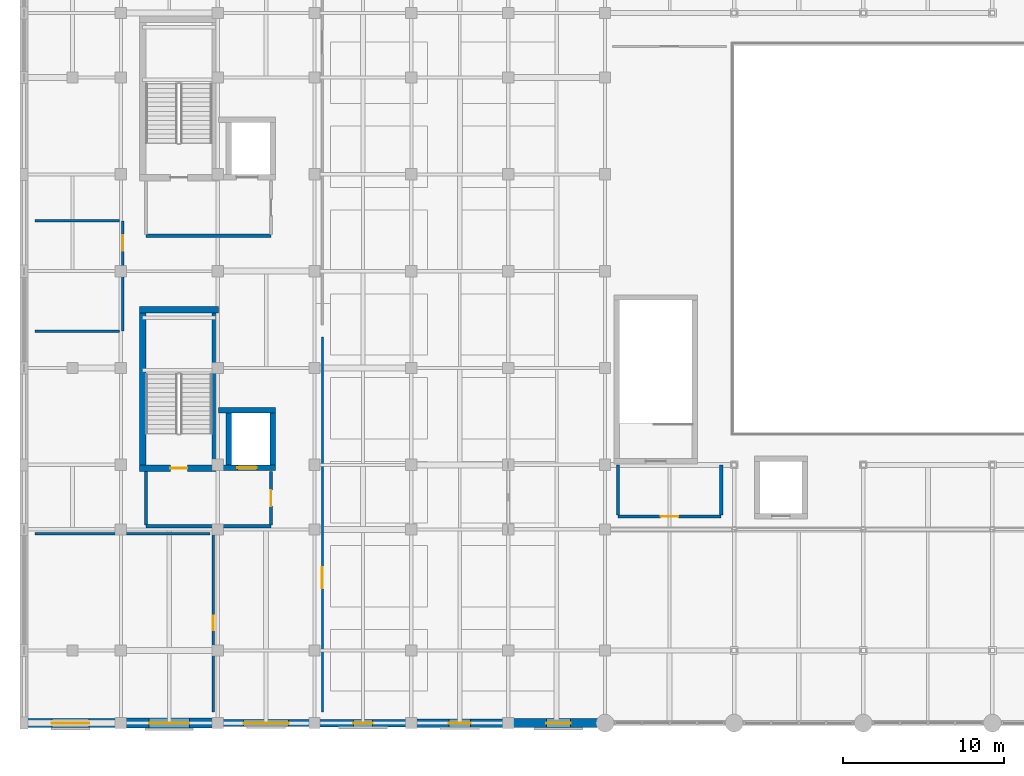
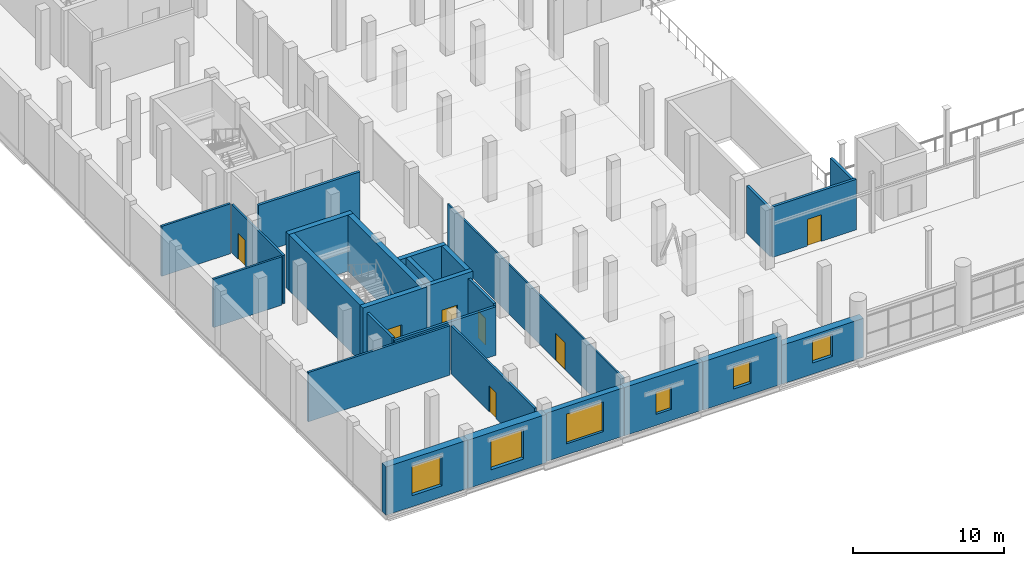
# One storey, part 96 of 114: 27 walls, 7 doors, 6 windows, 13 openings.
"""IFC4 building model written with IfcOpenShell, lengths in metres."""

from ifc_helpers import new_model, si_unit, direction, frame, frame_2d, origin, place, context, subcontext, project, spatial, rectangle, extrude, material, layer, layer_set, type_object, element, fill, save


model = new_model("IFC4")

# Units and contexts
model_context = context("Model", 3, precision=1e-05, world=origin(), true_north=direction((0.0, 1.0)))
body_context = subcontext(model_context, "Body", "Model", "MODEL_VIEW")
ifc_project = project(units=[si_unit("LENGTHUNIT", "METRE"), si_unit("AREAUNIT", "SQUARE_METRE"), si_unit("VOLUMEUNIT", "CUBIC_METRE"), si_unit("PLANEANGLEUNIT", "RADIAN"), si_unit("MASSUNIT", "GRAM", prefix="KILO")], contexts=[model_context])

# Site, building, storey
site_placement = place(None, origin())
site = spatial("IfcSite", under=ifc_project, at=site_placement, CompositionType="ELEMENT")
building_placement = place(site_placement, origin())
building = spatial("IfcBuilding", under=site, at=building_placement, Name="Verrall Gate Interchange", CompositionType="ELEMENT")
storey_placement = place(building_placement, frame((0.0, 0.0, 6.60009765625)))
storey = spatial("IfcBuildingStorey", under=building, at=storey_placement, Name="L02", CompositionType="ELEMENT", Elevation=6.60009765625)

# Wall, opening, window
ifc_material_1 = material(Name="Tyndall Dolomitic Limestone Ashlar Cavity Assembly (U=0.18)", Category="masonry")
ifc_layer_1 = layer(ifc_material_1, 0.419921875)
ifc_layer_set_1 = layer_set([ifc_layer_1], Name="Tyndall Dolomitic Limestone Ashlar Cavity Assembly (U=0.18)")
wall_type_1 = type_object("IfcWallType", Name="EW-01 Exterior Solid Wall 420", PredefinedType="SOLIDWALL", material=ifc_layer_set_1)
wall_1_placement = place(storey_placement, frame((11.991943359375, 0.0, 0.0), z_axis=(0.0, 0.0, 1.0), x_axis=(1.0, 0.0, 0.0)))
wall_1 = element("IfcWall", 1, at=wall_1_placement, inside=storey, type_object=wall_type_1, Name="L02 Classical Limestone Facade Wall 057", PredefinedType="SOLIDWALL", context=body_context, shape_type="SweptSolid", body=[
    extrude(rectangle(XDim=6.01611328125, YDim=0.419921875, at=frame_2d((3.008056640625, 0.0))), origin(), (0.0, 0.0, 1.0), 3.910888671875),
])
opening_1_placement = place(wall_1_placement, frame((1.60791015625, 0.0, 0.89990234375)))
opening_1 = element("IfcOpeningElement", 2, at=opening_1_placement, cuts=wall_1, Name="Opening WN-24", PredefinedType="OPENING", context=body_context, shape_type="SweptSolid", body=[
    extrude(rectangle(XDim=2.800048828125, YDim=2.39990234375, at=frame_2d((1.39990234375, 1.199951171875))), frame((0.0, 0.224853515625, 0.0), z_axis=(0.0, -1.0, 0.0), x_axis=(1.0, 0.0, 0.0)), (0.0, 0.0, 1.0), 0.44970703125),
])
ifc_material_2 = material(Name="Triple-Glazed Low-E Argon Bronze-Clad Window Unit (U=1.40)", Category="glass")
window_type_1 = type_object("IfcWindowType", Name="WN-24 Classical Deep-Reveal Window 2800x2400", PartitioningType="SINGLE_PANEL", PredefinedType="WINDOW", material=ifc_material_2)
window_1_placement = place(opening_1_placement, origin())
window_1 = element("IfcWindow", 3, at=window_1_placement, inside=storey, type_object=window_type_1, Name="L02 Classical Window 015 (WN-24)", OverallHeight=2.39990234375, OverallWidth=2.800048828125, PartitioningType="SINGLE_PANEL", PredefinedType="WINDOW", context=body_context, shape_type="SweptSolid", body=[
    extrude(rectangle(XDim=2.800048828125, YDim=2.39990234375, at=frame_2d((1.39990234375, 1.199951171875))), frame((0.0, 0.030029296875, 0.0), z_axis=(0.0, -1.0, 0.0), x_axis=(1.0, 0.0, 0.0)), (0.0, 0.0, 1.0), 0.06005859375),
])
fill(opening_1, window_1)

ifc_material_3 = material(Name="Tyndall Dolomitic Limestone Ashlar Cavity Assembly (U=0.18)", Category="masonry")
ifc_layer_2 = layer(ifc_material_3, 0.4599609375)
ifc_layer_set_2 = layer_set([ifc_layer_2], Name="Tyndall Dolomitic Limestone Ashlar Cavity Assembly (U=0.18)")
wall_type_2 = type_object("IfcWallType", Name="EW-02 Exterior Solid Wall 460", PredefinedType="SOLIDWALL", material=ifc_layer_set_2)
wall_2_placement = place(storey_placement, frame((17.991943359375, 0.0, 0.0), z_axis=(0.0, 0.0, 1.0), x_axis=(1.0, 0.0, 0.0)))
wall_2 = element("IfcWall", 4, at=wall_2_placement, inside=storey, type_object=wall_type_2, Name="L02 Classical Limestone Facade Wall 058", PredefinedType="SOLIDWALL", context=body_context, shape_type="SweptSolid", body=[
    extrude(rectangle(XDim=6.01611328125, YDim=0.4599609375, at=frame_2d((3.008056640625, 0.0))), origin(), (0.0, 0.0, 1.0), 3.910888671875),
])
opening_2_placement = place(wall_2_placement, frame((2.407958984375, 0.0, 0.89990234375)))
opening_2 = element("IfcOpeningElement", 5, at=opening_2_placement, cuts=wall_2, Name="Opening WN-01", PredefinedType="OPENING", context=body_context, shape_type="SweptSolid", body=[
    extrude(rectangle(XDim=1.199951171875, YDim=1.800048828125, at=frame_2d((0.60009765625, 0.89990234375))), frame((0.0, 0.244873046875, 0.0), z_axis=(0.0, -1.0, 0.0), x_axis=(1.0, 0.0, 0.0)), (0.0, 0.0, 1.0), 0.48974609375),
])
ifc_material_4 = material(Name="Triple-Glazed Low-E Argon Bronze-Clad Window Unit (U=1.40)", Category="glass")
window_type_2 = type_object("IfcWindowType", Name="WN-01 Classical Deep-Reveal Window 1200x1800", PartitioningType="SINGLE_PANEL", PredefinedType="WINDOW", material=ifc_material_4)
window_2_placement = place(opening_2_placement, origin())
window_2 = element("IfcWindow", 6, at=window_2_placement, inside=storey, type_object=window_type_2, Name="L02 Classical Window 016 (WN-01)", OverallHeight=1.800048828125, OverallWidth=1.199951171875, PartitioningType="SINGLE_PANEL", PredefinedType="WINDOW", context=body_context, shape_type="SweptSolid", body=[
    extrude(rectangle(XDim=1.199951171875, YDim=1.800048828125, at=frame_2d((0.60009765625, 0.89990234375))), frame((0.0, 0.030029296875, 0.0), z_axis=(0.0, -1.0, 0.0), x_axis=(1.0, 0.0, 0.0)), (0.0, 0.0, 1.0), 0.06005859375),
])
fill(opening_2, window_2)

ifc_material_5 = material(Name="Prairie Charcoal Granite Plinth Rainscreen Assembly (U=0.18)", Category="masonry")
ifc_layer_3 = layer(ifc_material_5, 0.52001953125)
ifc_layer_set_3 = layer_set([ifc_layer_3], Name="Prairie Charcoal Granite Plinth Rainscreen Assembly (U=0.18)")
wall_type_3 = type_object("IfcWallType", Name="EW-03 Exterior Solid Wall 520", PredefinedType="SOLIDWALL", material=ifc_layer_set_3)
wall_3_placement = place(storey_placement, frame((23.991943359375, 0.0, 0.0), z_axis=(0.0, 0.0, 1.0), x_axis=(1.0, 0.0, 0.0)))
wall_3 = element("IfcWall", 7, at=wall_3_placement, inside=storey, type_object=wall_type_3, Name="L02 Classical Limestone Facade Wall 059", PredefinedType="SOLIDWALL", context=body_context, shape_type="SweptSolid", body=[
    extrude(rectangle(XDim=6.01611328125, YDim=0.52001953125, at=frame_2d((3.008056640625, 0.0))), origin(), (0.0, 0.0, 1.0), 3.910888671875),
])
opening_3_placement = place(wall_3_placement, frame((2.3330078125, 0.0, 0.89990234375)))
opening_3 = element("IfcOpeningElement", 8, at=opening_3_placement, cuts=wall_3, Name="Opening WN-02", PredefinedType="OPENING", context=body_context, shape_type="SweptSolid", body=[
    extrude(rectangle(XDim=1.35009765625, YDim=1.800048828125, at=frame_2d((0.675048828125, 0.89990234375))), frame((0.0, 0.27490234375, 0.0), z_axis=(0.0, -1.0, 0.0), x_axis=(1.0, 0.0, 0.0)), (0.0, 0.0, 1.0), 0.5498046875),
])
ifc_material_6 = material(Name="Triple-Glazed Low-E Argon Bronze-Clad Window Unit (U=1.40)", Category="glass")
window_type_3 = type_object("IfcWindowType", Name="WN-02 Classical Deep-Reveal Window 1350x1800", PartitioningType="SINGLE_PANEL", PredefinedType="WINDOW", material=ifc_material_6)
window_3_placement = place(opening_3_placement, origin())
window_3 = element("IfcWindow", 9, at=window_3_placement, inside=storey, type_object=window_type_3, Name="L02 Classical Window 017 (WN-02)", OverallHeight=1.800048828125, OverallWidth=1.35009765625, PartitioningType="SINGLE_PANEL", PredefinedType="WINDOW", context=body_context, shape_type="SweptSolid", body=[
    extrude(rectangle(XDim=1.35009765625, YDim=1.800048828125, at=frame_2d((0.675048828125, 0.89990234375))), frame((0.0, 0.030029296875, 0.0), z_axis=(0.0, -1.0, 0.0), x_axis=(1.0, 0.0, 0.0)), (0.0, 0.0, 1.0), 0.06005859375),
])
fill(opening_3, window_3)

ifc_material_7 = material(Name="Tyndall Dolomitic Limestone Ashlar Cavity Assembly (U=0.18)", Category="masonry")
ifc_layer_4 = layer(ifc_material_7, 0.56005859375)
ifc_layer_set_4 = layer_set([ifc_layer_4], Name="Tyndall Dolomitic Limestone Ashlar Cavity Assembly (U=0.18)")
wall_type_4 = type_object("IfcWallType", Name="EW-04 Exterior Solid Wall 560", PredefinedType="SOLIDWALL", material=ifc_layer_set_4)
wall_4_placement = place(storey_placement, frame((-0.25, 0.0, 0.0), z_axis=(0.0, 0.0, 1.0), x_axis=(1.0, 0.0, 0.0)))
wall_4 = element("IfcWall", 10, at=wall_4_placement, inside=storey, type_object=wall_type_4, Name="L02 Classical Limestone Facade Wall 055", PredefinedType="SOLIDWALL", context=body_context, shape_type="SweptSolid", body=[
    extrude(rectangle(XDim=6.258056640625, YDim=0.56005859375, at=frame_2d((3.12890625, 0.0))), origin(), (0.0, 0.0, 1.0), 3.910888671875),
])
opening_4_placement = place(wall_4_placement, frame((1.97900390625, 0.0, 0.89990234375)))
opening_4 = element("IfcOpeningElement", 11, at=opening_4_placement, cuts=wall_4, Name="Opening WN-22", PredefinedType="OPENING", context=body_context, shape_type="SweptSolid", body=[
    extrude(rectangle(XDim=2.300048828125, YDim=2.39990234375, at=frame_2d((1.14990234375, 1.199951171875))), frame((0.0, 0.294921875, 0.0), z_axis=(0.0, -1.0, 0.0), x_axis=(1.0, 0.0, 0.0)), (0.0, 0.0, 1.0), 0.58984375),
])
ifc_material_8 = material(Name="Triple-Glazed Low-E Argon Bronze-Clad Window Unit (U=1.40)", Category="glass")
window_type_4 = type_object("IfcWindowType", Name="WN-22 Classical Deep-Reveal Window 2300x2400", PartitioningType="SINGLE_PANEL", PredefinedType="WINDOW", material=ifc_material_8)
window_4_placement = place(opening_4_placement, origin())
window_4 = element("IfcWindow", 12, at=window_4_placement, inside=storey, type_object=window_type_4, Name="L02 Classical Window 013 (WN-22)", OverallHeight=2.39990234375, OverallWidth=2.300048828125, PartitioningType="SINGLE_PANEL", PredefinedType="WINDOW", context=body_context, shape_type="SweptSolid", body=[
    extrude(rectangle(XDim=2.300048828125, YDim=2.39990234375, at=frame_2d((1.14990234375, 1.199951171875))), frame((0.0, 0.030029296875, 0.0), z_axis=(0.0, -1.0, 0.0), x_axis=(1.0, 0.0, 0.0)), (0.0, 0.0, 1.0), 0.06005859375),
])
fill(opening_4, window_4)

wall_5_placement = place(storey_placement, frame((29.991943359375, 0.0, 0.0), z_axis=(0.0, 0.0, 1.0), x_axis=(1.0, 0.0, 0.0)))
wall_5 = element("IfcWall", 13, at=wall_5_placement, inside=storey, type_object=wall_type_4, Name="L02 Classical Limestone Facade Wall 060", PredefinedType="SOLIDWALL", context=body_context, shape_type="SweptSolid", body=[
    extrude(rectangle(XDim=6.258056640625, YDim=0.56005859375, at=frame_2d((3.12890625, 0.0))), origin(), (0.0, 0.0, 1.0), 3.15283203125),
])
opening_5_placement = place(wall_5_placement, frame((2.37890625, 0.0, 0.89990234375)))
opening_5 = element("IfcOpeningElement", 14, at=opening_5_placement, cuts=wall_5, Name="Opening WN-03", PredefinedType="OPENING", context=body_context, shape_type="SweptSolid", body=[
    extrude(rectangle(XDim=1.5, YDim=1.800048828125, at=frame_2d((0.75, 0.89990234375))), frame((0.0, 0.294921875, 0.0), z_axis=(0.0, -1.0, 0.0), x_axis=(1.0, 0.0, 0.0)), (0.0, 0.0, 1.0), 0.58984375),
])
ifc_material_9 = material(Name="Triple-Glazed Low-E Argon Bronze-Clad Window Unit (U=1.40)", Category="glass")
window_type_5 = type_object("IfcWindowType", Name="WN-03 Classical Deep-Reveal Window 1500x1800", PartitioningType="SINGLE_PANEL", PredefinedType="WINDOW", material=ifc_material_9)
window_5_placement = place(opening_5_placement, origin())
window_5 = element("IfcWindow", 15, at=window_5_placement, inside=storey, type_object=window_type_5, Name="L02 Classical Window 018 (WN-03)", OverallHeight=1.800048828125, OverallWidth=1.5, PartitioningType="SINGLE_PANEL", PredefinedType="WINDOW", context=body_context, shape_type="SweptSolid", body=[
    extrude(rectangle(XDim=1.5, YDim=1.800048828125, at=frame_2d((0.75, 0.89990234375))), frame((0.0, 0.030029296875, 0.0), z_axis=(0.0, -1.0, 0.0), x_axis=(1.0, 0.0, 0.0)), (0.0, 0.0, 1.0), 0.06005859375),
])
fill(opening_5, window_5)

ifc_material_10 = material(Name="Prairie Charcoal Granite Plinth Rainscreen Assembly (U=0.18)", Category="masonry")
ifc_layer_5 = layer(ifc_material_10, 0.6201171875)
ifc_layer_set_5 = layer_set([ifc_layer_5], Name="Prairie Charcoal Granite Plinth Rainscreen Assembly (U=0.18)")
wall_type_5 = type_object("IfcWallType", Name="EW-05 Exterior Solid Wall 620", PredefinedType="SOLIDWALL", material=ifc_layer_set_5)
wall_6_placement = place(storey_placement, frame((5.991943359375, 0.0, 0.0), z_axis=(0.0, 0.0, 1.0), x_axis=(1.0, 0.0, 0.0)))
wall_6 = element("IfcWall", 16, at=wall_6_placement, inside=storey, type_object=wall_type_5, Name="L02 Classical Limestone Facade Wall 056", PredefinedType="SOLIDWALL", context=body_context, shape_type="SweptSolid", body=[
    extrude(rectangle(XDim=6.01611328125, YDim=0.6201171875, at=frame_2d((3.008056640625, 0.0))), origin(), (0.0, 0.0, 1.0), 3.910888671875),
])
opening_6_placement = place(wall_6_placement, frame((1.758056640625, 0.0, 0.89990234375)))
opening_6 = element("IfcOpeningElement", 17, at=opening_6_placement, cuts=wall_6, Name="Opening WN-23", PredefinedType="OPENING", context=body_context, shape_type="SweptSolid", body=[
    extrude(rectangle(XDim=2.5, YDim=2.39990234375, at=frame_2d((1.25, 1.199951171875))), frame((0.0, 0.324951171875, 0.0), z_axis=(0.0, -1.0, 0.0), x_axis=(1.0, 0.0, 0.0)), (0.0, 0.0, 1.0), 0.64990234375),
])
ifc_material_11 = material(Name="Triple-Glazed Low-E Argon Bronze-Clad Window Unit (U=1.40)", Category="glass")
window_type_6 = type_object("IfcWindowType", Name="WN-23 Classical Deep-Reveal Window 2500x2400", PartitioningType="SINGLE_PANEL", PredefinedType="WINDOW", material=ifc_material_11)
window_6_placement = place(opening_6_placement, origin())
window_6 = element("IfcWindow", 18, at=window_6_placement, inside=storey, type_object=window_type_6, Name="L02 Classical Window 014 (WN-23)", OverallHeight=2.39990234375, OverallWidth=2.5, PartitioningType="SINGLE_PANEL", PredefinedType="WINDOW", context=body_context, shape_type="SweptSolid", body=[
    extrude(rectangle(XDim=2.5, YDim=2.39990234375, at=frame_2d((1.25, 1.199951171875))), frame((0.0, 0.030029296875, 0.0), z_axis=(0.0, -1.0, 0.0), x_axis=(1.0, 0.0, 0.0)), (0.0, 0.0, 1.0), 0.06005859375),
])
fill(opening_6, window_6)

# Walls
ifc_material_12 = material(Name="Fire-Rated Type X Gypsum Stud Partition Assembly (60 min)", Category="gypsum")
ifc_layer_6 = layer(ifc_material_12, 0.199951171875)
ifc_layer_set_6 = layer_set([ifc_layer_6], Name="Fire-Rated Type X Gypsum Stud Partition Assembly (60 min)")
wall_type_6 = type_object("IfcWallType", Name="IW-01 Interior Partition Wall 200", PredefinedType="PARTITIONING", material=ifc_layer_set_6)
wall_7_placement = place(storey_placement, frame((7.550048828125, 12.199951171875, 0.0), z_axis=(0.0, 0.0, 1.0), x_axis=(1.0, 0.0, 0.0)))
element("IfcWall", 19, at=wall_7_placement, inside=storey, type_object=wall_type_6, Name="L02 Core C1 Lobby South Rated Wall", PredefinedType="PARTITIONING", context=body_context, shape_type="SweptSolid", body=[
    extrude(rectangle(XDim=7.75, YDim=0.199951171875, at=frame_2d((3.875, 0.0))), origin(), (0.0, 0.0, 1.0), 3.910888671875),
])
wall_8_placement = place(storey_placement, frame((7.550048828125, 15.60009765625, 0.0), z_axis=(0.0, 0.0, 1.0), x_axis=(0.0, -1.0, 0.0)))
element("IfcWall", 20, at=wall_8_placement, inside=storey, type_object=wall_type_6, Name="L02 Core C1 Lobby West Rated Wall", PredefinedType="PARTITIONING", context=body_context, shape_type="SweptSolid", body=[
    extrude(rectangle(XDim=3.320068359375, YDim=0.199951171875, at=frame_2d((1.66015625, 0.0))), origin(), (0.0, 0.0, 1.0), 4.039794921875),
])

# Wall, opening, door
wall_9_placement = place(storey_placement, frame((15.300048828125, 12.280029296875, 0.0), z_axis=(0.0, 0.0, 1.0), x_axis=(0.0, 1.0, 0.0)))
wall_9 = element("IfcWall", 21, at=wall_9_placement, inside=storey, type_object=wall_type_6, Name="L02 Core C1 Lobby East Rated Wall", PredefinedType="PARTITIONING", context=body_context, shape_type="SweptSolid", body=[
    extrude(rectangle(XDim=3.320068359375, YDim=0.199951171875, at=frame_2d((1.66015625, 0.0))), origin(), (0.0, 0.0, 1.0), 4.093994140625),
])
opening_7_placement = place(wall_9_placement, frame((1.159912109375, 0.0, 0.0)))
opening_7 = element("IfcOpeningElement", 22, at=opening_7_placement, cuts=wall_9, Name="Opening LBD013", PredefinedType="OPENING", context=body_context, shape_type="SweptSolid", body=[
    extrude(rectangle(XDim=1.0, YDim=2.14990234375, at=frame_2d((0.5, 1.074951171875))), frame((0.0, 0.11474609375, 0.0), z_axis=(0.0, -1.0, 0.0), x_axis=(1.0, 0.0, 0.0)), (0.0, 0.0, 1.0), 0.229736328125),
])
ifc_material_13 = material(Name="Hollow-Metal Fire-Rated Door Assembly", Category="metal")
door_type_1 = type_object("IfcDoorType", Name="ID-05 Interior Swing Door 1000x2150", OperationType="NOTDEFINED", PredefinedType="DOOR", material=ifc_material_13)
door_1_placement = place(opening_7_placement, origin())
door_1 = element("IfcDoor", 23, at=door_1_placement, inside=storey, type_object=door_type_1, Name="L02 Core C1 Lobby Fire Door LBD013", OperationType="SINGLE_SWING_LEFT", OverallHeight=2.14990234375, OverallWidth=1.0, PredefinedType="DOOR", context=body_context, shape_type="SweptSolid", body=[
    extrude(rectangle(XDim=1.0, YDim=2.14990234375, at=frame_2d((0.5, 1.074951171875))), frame((0.0, 0.02490234375, 0.0), z_axis=(0.0, -1.0, 0.0), x_axis=(1.0, 0.0, 0.0)), (0.0, 0.0, 1.0), 0.050048828125),
])
fill(opening_7, door_1)

# Wall
wall_10_placement = place(storey_placement, frame((7.550048828125, 30.199951171875, 0.0), z_axis=(0.0, 0.0, 1.0), x_axis=(1.0, 0.0, 0.0)))
element("IfcWall", 24, at=wall_10_placement, inside=storey, type_object=wall_type_6, Name="L02 Core C2 Lobby South Rated Wall", PredefinedType="PARTITIONING", context=body_context, shape_type="SweptSolid", body=[
    extrude(rectangle(XDim=7.75, YDim=0.199951171875, at=frame_2d((3.875, 0.0))), origin(), (0.0, 0.0, 1.0), 3.910888671875),
])

# Wall, opening, door
wall_11_placement = place(storey_placement, frame((36.800048828125, 12.800048828125, 0.0), z_axis=(0.0, 0.0, 1.0), x_axis=(1.0, 0.0, 0.0)))
wall_11 = element("IfcWall", 25, at=wall_11_placement, inside=storey, type_object=wall_type_6, Name="L02 Core C5 Lobby South Rated Wall", PredefinedType="PARTITIONING", context=body_context, shape_type="SweptSolid", body=[
    extrude(rectangle(XDim=6.39990234375, YDim=0.199951171875, at=frame_2d((3.199951171875, 0.0))), origin(), (0.0, 0.0, 1.0), 4.091796875),
])
opening_8_placement = place(wall_11_placement, frame((2.64990234375, 0.0, 0.0)))
opening_8 = element("IfcOpeningElement", 26, at=opening_8_placement, cuts=wall_11, Name="Opening LBD070", PredefinedType="OPENING", context=body_context, shape_type="SweptSolid", body=[
    extrude(rectangle(XDim=1.10009765625, YDim=2.14990234375, at=frame_2d((0.550048828125, 1.074951171875))), frame((0.0, 0.11474609375, 0.0), z_axis=(0.0, -1.0, 0.0), x_axis=(1.0, 0.0, 0.0)), (0.0, 0.0, 1.0), 0.229736328125),
])
ifc_material_14 = material(Name="Hollow-Metal Fire-Rated Door Assembly", Category="metal")
door_type_2 = type_object("IfcDoorType", Name="ID-06 Interior Swing Door 1100x2150", OperationType="NOTDEFINED", PredefinedType="DOOR", material=ifc_material_14)
door_2_placement = place(opening_8_placement, origin())
door_2 = element("IfcDoor", 27, at=door_2_placement, inside=storey, type_object=door_type_2, Name="L02 Core C5 Lobby Fire Door LBD070", OperationType="SINGLE_SWING_RIGHT", OverallHeight=2.14990234375, OverallWidth=1.10009765625, PredefinedType="DOOR", context=body_context, shape_type="SweptSolid", body=[
    extrude(rectangle(XDim=1.10009765625, YDim=2.14990234375, at=frame_2d((0.550048828125, 1.074951171875))), frame((0.0, 0.02490234375, 0.0), z_axis=(0.0, -1.0, 0.0), x_axis=(1.0, 0.0, 0.0)), (0.0, 0.0, 1.0), 0.050048828125),
])
fill(opening_8, door_2)

# Walls
for number, where, z_axis, x_axis, name in (
    (28, (36.800048828125, 16.0, 0.0), (0.0, 0.0, 1.0), (0.0, -1.0, 0.0), "L02 Core C5 Lobby West Rated Wall"),
    (29, (43.199951171875, 12.8798828125, 0.0), (0.0, 0.0, 1.0), (0.0, 1.0, 0.0), "L02 Core C5 Lobby East Rated Wall"),
):
    element("IfcWall", number, at=place(storey_placement, frame(where, z_axis=z_axis, x_axis=x_axis)), inside=storey, type_object=wall_type_6, Name=name, PredefinedType="PARTITIONING", context=body_context, shape_type="SweptSolid", body=[
        extrude(rectangle(XDim=3.1201171875, YDim=0.199951171875, at=frame_2d((1.56005859375, 0.0))), origin(), (0.0, 0.0, 1.0), 3.8388671875),
    ])

# Wall, opening, door
ifc_material_15 = material(Name="Fire-Rated Type X Gypsum Stud Partition Assembly (60 min)", Category="gypsum")
ifc_layer_7 = layer(ifc_material_15, 0.159912109375)
ifc_layer_set_7 = layer_set([ifc_layer_7], Name="Fire-Rated Type X Gypsum Stud Partition Assembly (60 min)")
wall_type_7 = type_object("IfcWallType", Name="IW-02 Interior Partition Wall 160", PredefinedType="PARTITIONING", material=ifc_layer_set_7)
wall_12_placement = place(storey_placement, frame((11.719970703125, 11.719970703125, 0.0), z_axis=(0.0, 0.0, 1.0), x_axis=(0.0, -1.0, 0.0)))
wall_12 = element("IfcWall", 30, at=wall_12_placement, inside=storey, type_object=wall_type_7, Name="L02 L02 Staff Washrooms Partition 042", PredefinedType="PARTITIONING", context=body_context, shape_type="SweptSolid", body=[
    extrude(rectangle(XDim=11.0400390625, YDim=0.159912109375, at=frame_2d((5.52001953125, 0.0))), origin(), (0.0, 0.0, 1.0), 3.910888671875),
])
opening_9_placement = place(wall_12_placement, frame((5.06005859375, 0.0, 0.0)))
opening_9 = element("IfcOpeningElement", 31, at=opening_9_placement, cuts=wall_12, Name="Opening D035", PredefinedType="OPENING", context=body_context, shape_type="SweptSolid", body=[
    extrude(rectangle(XDim=0.919921875, YDim=2.10009765625, at=frame_2d((0.4599609375, 1.050048828125))), frame((0.0, 0.0947265625, 0.0), z_axis=(0.0, -1.0, 0.0), x_axis=(1.0, 0.0, 0.0)), (0.0, 0.0, 1.0), 0.189697265625),
])
ifc_material_16 = material(Name="Architectural Solid-Core Birch Acoustic Door Assembly", Category="wood")
door_type_3 = type_object("IfcDoorType", Name="ID-10 Interior Swing Door 920x2100", OperationType="NOTDEFINED", PredefinedType="DOOR", material=ifc_material_16)
door_3_placement = place(opening_9_placement, origin())
door_3 = element("IfcDoor", 32, at=door_3_placement, inside=storey, type_object=door_type_3, Name="L02 L02 Staff Washrooms Door D035", OperationType="SINGLE_SWING_RIGHT", OverallHeight=2.10009765625, OverallWidth=0.919921875, PredefinedType="DOOR", context=body_context, shape_type="SweptSolid", body=[
    extrude(rectangle(XDim=0.919921875, YDim=2.10009765625, at=frame_2d((0.4599609375, 1.050048828125))), frame((0.0, 0.02490234375, 0.0), z_axis=(0.0, -1.0, 0.0), x_axis=(1.0, 0.0, 0.0)), (0.0, 0.0, 1.0), 0.050048828125),
])
fill(opening_9, door_3)

# Wall
wall_13_placement = place(storey_placement, frame((0.679931640625, 11.719970703125, 0.0), z_axis=(0.0, 0.0, 1.0), x_axis=(1.0, 0.0, 0.0)))
element("IfcWall", 33, at=wall_13_placement, inside=storey, type_object=wall_type_7, Name="L02 L02 Staff Washrooms Partition 043", PredefinedType="PARTITIONING", context=body_context, shape_type="SweptSolid", body=[
    extrude(rectangle(XDim=10.840087890625, YDim=0.159912109375, at=frame_2d((5.419921875, 0.0))), origin(), (0.0, 0.0, 1.0), 3.98681640625),
])

# Wall, opening, door
wall_14_placement = place(storey_placement, frame((6.1201171875, 31.1201171875, 0.0), z_axis=(0.0, 0.0, 1.0), x_axis=(0.0, -1.0, 0.0)))
wall_14 = element("IfcWall", 34, at=wall_14_placement, inside=storey, type_object=wall_type_7, Name="L02 L02 Accessible Washroom Partition 044", PredefinedType="PARTITIONING", context=body_context, shape_type="SweptSolid", body=[
    extrude(rectangle(XDim=6.840087890625, YDim=0.159912109375, at=frame_2d((3.419921875, 0.0))), origin(), (0.0, 0.0, 1.0), 3.910888671875),
])
opening_10_placement = place(wall_14_placement, frame((0.882080078125, 0.0, 0.0)))
opening_10 = element("IfcOpeningElement", 35, at=opening_10_placement, cuts=wall_14, Name="Opening D036", PredefinedType="OPENING", context=body_context, shape_type="SweptSolid", body=[
    extrude(rectangle(XDim=0.9599609375, YDim=2.10009765625, at=frame_2d((0.47998046875, 1.050048828125))), frame((0.0, 0.0947265625, 0.0), z_axis=(0.0, -1.0, 0.0), x_axis=(1.0, 0.0, 0.0)), (0.0, 0.0, 1.0), 0.189697265625),
])
ifc_material_17 = material(Name="Architectural Solid-Core Birch Acoustic Door Assembly", Category="wood")
door_type_4 = type_object("IfcDoorType", Name="ID-11 Interior Swing Door 960x2100", OperationType="NOTDEFINED", PredefinedType="DOOR", material=ifc_material_17)
door_4_placement = place(opening_10_placement, origin())
door_4 = element("IfcDoor", 36, at=door_4_placement, inside=storey, type_object=door_type_4, Name="L02 L02 Accessible Washroom Door D036", OperationType="SINGLE_SWING_LEFT", OverallHeight=2.10009765625, OverallWidth=0.9599609375, PredefinedType="DOOR", context=body_context, shape_type="SweptSolid", body=[
    extrude(rectangle(XDim=0.9599609375, YDim=2.10009765625, at=frame_2d((0.47998046875, 1.050048828125))), frame((0.0, 0.02490234375, 0.0), z_axis=(0.0, -1.0, 0.0), x_axis=(1.0, 0.0, 0.0)), (0.0, 0.0, 1.0), 0.050048828125),
])
fill(opening_10, door_4)

# Walls
wall_15_placement = place(storey_placement, frame((0.679931640625, 31.1201171875, 0.0), z_axis=(0.0, 0.0, 1.0), x_axis=(1.0, 0.0, 0.0)))
element("IfcWall", 37, at=wall_15_placement, inside=storey, type_object=wall_type_7, Name="L02 L02 Accessible Washroom Partition 045", PredefinedType="PARTITIONING", context=body_context, shape_type="SweptSolid", body=[
    extrude(rectangle(XDim=5.239990234375, YDim=0.159912109375, at=frame_2d((2.6201171875, 0.0))), origin(), (0.0, 0.0, 1.0), 4.039794921875),
])
wall_16_placement = place(storey_placement, frame((5.919921875, 24.280029296875, 0.0), z_axis=(0.0, 0.0, 1.0), x_axis=(-1.0, 0.0, 0.0)))
element("IfcWall", 38, at=wall_16_placement, inside=storey, type_object=wall_type_7, Name="L02 L02 Accessible Washroom Partition 046", PredefinedType="PARTITIONING", context=body_context, shape_type="SweptSolid", body=[
    extrude(rectangle(XDim=5.239990234375, YDim=0.159912109375, at=frame_2d((2.6201171875, 0.0))), origin(), (0.0, 0.0, 1.0), 3.910888671875),
])

# Wall, opening, door
ifc_material_18 = material(Name="Acoustic Steel-Stud Partition Assembly", Category="steel")
ifc_layer_8 = layer(ifc_material_18, 0.1201171875)
ifc_layer_set_8 = layer_set([ifc_layer_8], Name="Acoustic Steel-Stud Partition Assembly")
wall_type_8 = type_object("IfcWallType", Name="IW-04 Interior Partition Wall 120", PredefinedType="PARTITIONING", material=ifc_layer_set_8)
wall_17_placement = place(storey_placement, frame((18.47998046875, 0.679931640625, 0.0), z_axis=(0.0, 0.0, 1.0), x_axis=(0.0, 1.0, 0.0)))
wall_17 = element("IfcWall", 39, at=wall_17_placement, inside=storey, type_object=wall_type_8, Name="L02 Transit Staff Canteen Partition 040", PredefinedType="PARTITIONING", context=body_context, shape_type="SweptSolid", body=[
    extrude(rectangle(XDim=23.239990234375, YDim=0.1201171875, at=frame_2d((11.6201171875, 0.0))), origin(), (0.0, 0.0, 1.0), 3.98681640625),
])
opening_11_placement = place(wall_17_placement, frame((7.68603515625, 0.0, 0.0)))
opening_11 = element("IfcOpeningElement", 40, at=opening_11_placement, cuts=wall_17, Name="Opening D033", PredefinedType="OPENING", context=body_context, shape_type="SweptSolid", body=[
    extrude(rectangle(XDim=1.280029296875, YDim=2.199951171875, at=frame_2d((0.64013671875, 1.10009765625))), frame((0.0, 0.074951171875, 0.0), z_axis=(0.0, -1.0, 0.0), x_axis=(1.0, 0.0, 0.0)), (0.0, 0.0, 1.0), 0.14990234375),
])
ifc_material_19 = material(Name="Architectural Solid-Core Birch Acoustic Door Assembly", Category="wood")
door_type_5 = type_object("IfcDoorType", Name="ID-16 Interior Swing Door 1280x2200", OperationType="NOTDEFINED", PredefinedType="DOOR", material=ifc_material_19)
door_5_placement = place(opening_11_placement, origin())
door_5 = element("IfcDoor", 41, at=door_5_placement, inside=storey, type_object=door_type_5, Name="L02 Transit Staff Canteen Door D033", OperationType="SINGLE_SWING_RIGHT", OverallHeight=2.199951171875, OverallWidth=1.280029296875, PredefinedType="DOOR", context=body_context, shape_type="SweptSolid", body=[
    extrude(rectangle(XDim=1.280029296875, YDim=2.199951171875, at=frame_2d((0.64013671875, 1.10009765625))), frame((0.0, 0.02490234375, 0.0), z_axis=(0.0, -1.0, 0.0), x_axis=(1.0, 0.0, 0.0)), (0.0, 0.0, 1.0), 0.050048828125),
])
fill(opening_11, door_5)

ifc_material_20 = material(Name="Concrete CSA A23.1 40 MPa (Class N)", Category="concrete")
ifc_layer_9 = layer(ifc_material_20, 0.39990234375)
ifc_layer_set_9 = layer_set([ifc_layer_9], Name="Concrete CSA A23.1 40 MPa (Class N)")
wall_type_9 = type_object("IfcWallType", Name="SW-01 Core Shear Wall 400", PredefinedType="SHEAR", material=ifc_layer_set_9)
wall_18_placement = place(storey_placement, frame((7.14990234375, 15.800048828125, 0.0), z_axis=(0.0, 0.0, 1.0), x_axis=(1.0, 0.0, 0.0)))
wall_18 = element("IfcWall", 42, at=wall_18_placement, inside=storey, type_object=wall_type_9, Name="L02 Core C1 South Shear Wall", PredefinedType="SHEAR", context=body_context, shape_type="SweptSolid", body=[
    extrude(rectangle(XDim=4.900146484375, YDim=0.39990234375, at=frame_2d((2.4501953125, 0.0))), origin(), (0.0, 0.0, 1.0), 4.539794921875),
])
opening_12_placement = place(wall_18_placement, frame((1.925048828125, 0.0, 0.0)))
opening_12 = element("IfcOpeningElement", 43, at=opening_12_placement, cuts=wall_18, Name="Opening SD004", PredefinedType="OPENING", context=body_context, shape_type="SweptSolid", body=[
    extrude(rectangle(XDim=1.050048828125, YDim=2.14990234375, at=frame_2d((0.52490234375, 1.074951171875))), frame((0.0, 0.21484375, 0.0), z_axis=(0.0, -1.0, 0.0), x_axis=(1.0, 0.0, 0.0)), (0.0, 0.0, 1.0), 0.4296875),
])
ifc_material_21 = material(Name="Hollow-Metal Fire-Rated Door Assembly", Category="metal")
door_type_6 = type_object("IfcDoorType", Name="ID-01 Interior Swing Door 1050x2150", OperationType="NOTDEFINED", PredefinedType="DOOR", material=ifc_material_21)
door_6_placement = place(opening_12_placement, origin())
door_6 = element("IfcDoor", 44, at=door_6_placement, inside=storey, type_object=door_type_6, Name="L02 Stair ST-01 Fire Door SD004", OperationType="SINGLE_SWING_RIGHT", OverallHeight=2.14990234375, OverallWidth=1.050048828125, PredefinedType="DOOR", context=body_context, shape_type="SweptSolid", body=[
    extrude(rectangle(XDim=1.050048828125, YDim=2.14990234375, at=frame_2d((0.52490234375, 1.074951171875))), frame((0.0, 0.02490234375, 0.0), z_axis=(0.0, -1.0, 0.0), x_axis=(1.0, 0.0, 0.0)), (0.0, 0.0, 1.0), 0.050048828125),
])
fill(opening_12, door_6)

# Walls
wall_19_placement = place(storey_placement, frame((12.050048828125, 25.60009765625, 0.0), z_axis=(0.0, 0.0, 1.0), x_axis=(-1.0, 0.0, 0.0)))
element("IfcWall", 45, at=wall_19_placement, inside=storey, type_object=wall_type_9, Name="L02 Core C1 North Shear Wall", PredefinedType="SHEAR", context=body_context, shape_type="SweptSolid", body=[
    extrude(rectangle(XDim=4.900146484375, YDim=0.39990234375, at=frame_2d((2.4501953125, 0.0))), origin(), (0.0, 0.0, 1.0), 4.539794921875),
])
for number, where, z_axis, x_axis, name in (
    (46, (7.35009765625, 25.39990234375, 0.0), (0.0, 0.0, 1.0), (0.0, -1.0, 0.0), "L02 Core C1 West Shear Wall"),
    (47, (11.85009765625, 16.0, 0.0), (0.0, 0.0, 1.0), (0.0, 1.0, 0.0), "L02 Core C1 East Shear Wall"),
):
    element("IfcWall", number, at=place(storey_placement, frame(where, z_axis=z_axis, x_axis=x_axis)), inside=storey, type_object=wall_type_9, Name=name, PredefinedType="SHEAR", context=body_context, shape_type="SweptSolid", body=[
        extrude(rectangle(XDim=9.39990234375, YDim=0.39990234375, at=frame_2d((4.699951171875, 0.0))), origin(), (0.0, 0.0, 1.0), 4.539794921875),
    ])

# Wall, opening, door
ifc_material_22 = material(Name="Concrete CSA A23.1 40 MPa (Class N)", Category="concrete")
ifc_layer_10 = layer(ifc_material_22, 0.340087890625)
ifc_layer_set_10 = layer_set([ifc_layer_10], Name="Concrete CSA A23.1 40 MPa (Class N)")
wall_type_10 = type_object("IfcWallType", Name="SW-02 Core Shear Wall 340", PredefinedType="SHEAR", material=ifc_layer_set_10)
wall_20_placement = place(storey_placement, frame((12.050048828125, 15.830078125, 0.0), z_axis=(0.0, 0.0, 1.0), x_axis=(1.0, 0.0, 0.0)))
wall_20 = element("IfcWall", 48, at=wall_20_placement, inside=storey, type_object=wall_type_10, Name="L02 Elevator EL-01 South Shaft Wall", PredefinedType="SHEAR", context=body_context, shape_type="SweptSolid", body=[
    extrude(rectangle(XDim=3.5400390625, YDim=0.340087890625, at=frame_2d((1.77001953125, 0.0))), origin(), (0.0, 0.0, 1.0), 4.539794921875),
])
opening_13_placement = place(wall_20_placement, frame((1.169921875, 0.0, 0.0)))
opening_13 = element("IfcOpeningElement", 49, at=opening_13_placement, cuts=wall_20, Name="Opening LD-01-L02", PredefinedType="OPENING", context=body_context, shape_type="SweptSolid", body=[
    extrude(rectangle(XDim=1.199951171875, YDim=2.199951171875, at=frame_2d((0.60009765625, 1.10009765625))), frame((0.0, 0.18505859375, 0.0), z_axis=(0.0, -1.0, 0.0), x_axis=(1.0, 0.0, 0.0)), (0.0, 0.0, 1.0), 0.369873046875),
])
ifc_material_23 = material(Name="Stainless-Steel Elevator Landing Sliding Door Assembly", Category="steel")
door_type_7 = type_object("IfcDoorType", Name="LD-02 Elevator Sliding Landing Door 1200x2200", OperationType="NOTDEFINED", PredefinedType="DOOR", material=ifc_material_23)
door_7_placement = place(opening_13_placement, origin())
door_7 = element("IfcDoor", 50, at=door_7_placement, inside=storey, type_object=door_type_7, Name="L02 Elevator EL-01 Sliding Landing Door", OperationType="DOUBLE_DOOR_SLIDING", OverallHeight=2.199951171875, OverallWidth=1.199951171875, PredefinedType="DOOR", context=body_context, shape_type="SweptSolid", body=[
    extrude(rectangle(XDim=1.199951171875, YDim=2.199951171875, at=frame_2d((0.60009765625, 1.10009765625))), frame((0.0, 0.02490234375, 0.0), z_axis=(0.0, -1.0, 0.0), x_axis=(1.0, 0.0, 0.0)), (0.0, 0.0, 1.0), 0.050048828125),
])
fill(opening_13, door_7)

# Walls
wall_21_placement = place(storey_placement, frame((15.590087890625, 19.3701171875, 0.0), z_axis=(0.0, 0.0, 1.0), x_axis=(-1.0, 0.0, 0.0)))
element("IfcWall", 51, at=wall_21_placement, inside=storey, type_object=wall_type_10, Name="L02 Elevator EL-01 North Shaft Wall", PredefinedType="SHEAR", context=body_context, shape_type="SweptSolid", body=[
    extrude(rectangle(XDim=3.5400390625, YDim=0.340087890625, at=frame_2d((1.77001953125, 0.0))), origin(), (0.0, 0.0, 1.0), 4.539794921875),
])
for number, where, z_axis, x_axis, name in (
    (52, (12.679931640625, 19.199951171875, 0.0), (0.0, 0.0, 1.0), (0.0, -1.0, 0.0), "L02 Elevator EL-01 West Shaft Wall"),
    (53, (15.419921875, 16.0, 0.0), (0.0, 0.0, 1.0), (0.0, 1.0, 0.0), "L02 Elevator EL-01 East Shaft Wall"),
):
    element("IfcWall", number, at=place(storey_placement, frame(where, z_axis=z_axis, x_axis=x_axis)), inside=storey, type_object=wall_type_10, Name=name, PredefinedType="SHEAR", context=body_context, shape_type="SweptSolid", body=[
        extrude(rectangle(XDim=3.199951171875, YDim=0.340087890625, at=frame_2d((1.60009765625, 0.0))), origin(), (0.0, 0.0, 1.0), 4.539794921875),
    ])

save(model, "model.ifc")
